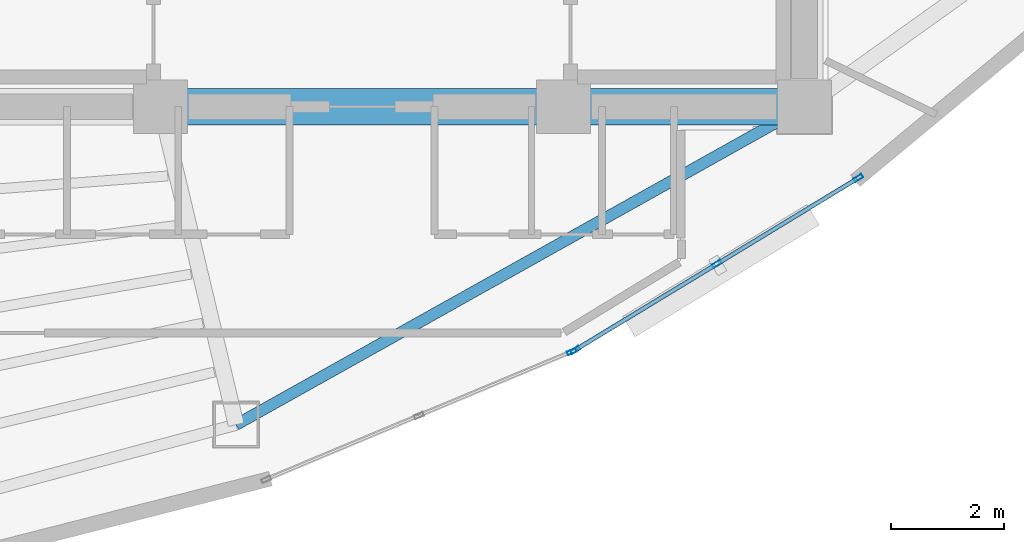
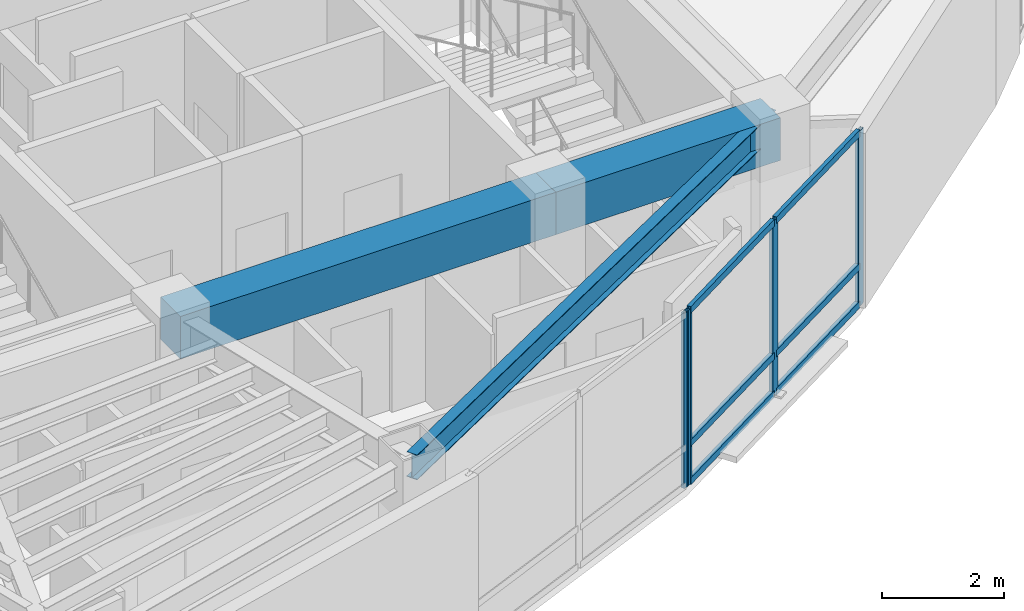
# One storey, part 5 of 16: 10 members, 3 beams, 2 elements without a shape of their own.
"""IFC4 building model written with IfcOpenShell, lengths in metres."""

import ifcopenshell
import ifcopenshell.guid

model = None  # the IFC model being written
_history = None  # IfcOwnerHistory: only IFC2X3 demands one
_inside = {}  # id of a spatial element -> (the spatial element, [elements in it])
_under = {}  # id of a project, library or spatial element -> (it, [spatial elements below it])
_declared = {}  # id of a project -> (the project, [libraries it declares])
_typed = {}  # id of a type object -> (the type object, [elements of that type])
_made_of = {}  # id of a material, layer set ... -> (it, [elements and type objects made of it])


def new_model(schema):
    """Start an empty IFC model of exactly this schema.

    Asked for "IFC4X3", IfcOpenShell would pick the latest addendum, in which some entities
    have other attributes; the version numbers below select the first issue.
    IFC2X3 requires an IfcOwnerHistory on every rooted entity: one is made here for all.
    """
    global model, _history
    if schema == "IFC4X3":
        model = ifcopenshell.file(schema_version=(4, 3, 0, 0))
    else:
        model = ifcopenshell.file(schema=schema)
    _inside.clear()
    _under.clear()
    _declared.clear()
    _typed.clear()
    _made_of.clear()
    _history = None
    if model.schema == "IFC2X3":
        org = make("IfcOrganization", Name="unknown")
        user = make(
            "IfcPersonAndOrganization",
            ThePerson=make("IfcPerson", FamilyName="unknown"),
            TheOrganization=org,
        )
        app = make(
            "IfcApplication",
            ApplicationDeveloper=org,
            Version="unknown",
            ApplicationFullName="unknown",
            ApplicationIdentifier="unknown",
        )
        _history = make(
            "IfcOwnerHistory",
            OwningUser=user,
            OwningApplication=app,
            ChangeAction="ADDED",
            CreationDate=0,
        )
    return model


def make(cls, **values):
    """One entity of the class cls with the attributes given. An attribute that is None is left unset."""
    return model.create_entity(
        cls, **{name: value for name, value in values.items() if value is not None}
    )


def rooted(cls, **values):
    """An entity with a GlobalId (a new one), such as an element, a storey or a relation."""
    return make(cls, GlobalId=ifcopenshell.guid.new(), OwnerHistory=_history, **values)


def si_unit(unit_type, name, prefix=None):
    """IfcSIUnit, for example si_unit("LENGTHUNIT", "METRE", prefix="MILLI")."""
    return make("IfcSIUnit", UnitType=unit_type, Prefix=prefix, Name=name)


def assignment(units):
    """IfcUnitAssignment: the units of a project."""
    return None if units is None else make("IfcUnitAssignment", Units=units)


def point(xyz):
    """IfcCartesianPoint."""
    return None if xyz is None else make("IfcCartesianPoint", Coordinates=xyz)


def direction(xyz):
    """IfcDirection."""
    return None if xyz is None else make("IfcDirection", DirectionRatios=xyz)


def frame(location, z_axis=None, x_axis=None):
    """IfcAxis2Placement3D, a coordinate frame: its origin and axes. An axis left out is left unset."""
    return make(
        "IfcAxis2Placement3D",
        Location=point(location),
        Axis=direction(z_axis),
        RefDirection=direction(x_axis),
    )


def frame_2d(location, x_axis=None):
    """IfcAxis2Placement2D, a coordinate frame in the plane: its origin and x axis."""
    return make(
        "IfcAxis2Placement2D", Location=point(location), RefDirection=direction(x_axis)
    )


def origin():
    """The frame at (0, 0, 0) with its axes left unset."""
    return frame((0.0, 0.0, 0.0))


def origin_2d():
    """The frame at (0, 0) in the plane with its x axis left unset."""
    return frame_2d((0.0, 0.0))


def place(relative_to, where):
    """IfcLocalPlacement: puts the frame where relative to a parent placement (None: the world)."""
    return make(
        "IfcLocalPlacement", PlacementRelTo=relative_to, RelativePlacement=where
    )


def context(
    kind, dimensions, precision=None, world=None, true_north=None, identifier=None
):
    """IfcGeometricRepresentationContext, for example the 3D "Model" context."""
    return make(
        "IfcGeometricRepresentationContext",
        ContextIdentifier=identifier,
        ContextType=kind,
        CoordinateSpaceDimension=dimensions,
        Precision=precision,
        WorldCoordinateSystem=world,
        TrueNorth=true_north,
    )


def subcontext(parent, identifier, kind, view, scale=None):
    """IfcGeometricRepresentationSubContext, for example "Body" below "Model"."""
    return make(
        "IfcGeometricRepresentationSubContext",
        ContextIdentifier=identifier,
        ContextType=kind,
        ParentContext=parent,
        TargetScale=scale,
        TargetView=view,
    )


def project(units=None, contexts=None):
    """IfcProject with its units and contexts."""
    return rooted(
        "IfcProject",
        Name="project",
        RepresentationContexts=contexts,
        UnitsInContext=assignment(units),
    )


def spatial(cls, under=None, at=None, **own):
    """A site, building, storey or space (cls), placed at a placement, below another one or the project."""
    s = rooted(cls, ObjectPlacement=at, **own)
    if under is not None:
        _under.setdefault(under.id(), (under, []))[1].append(s)
    return s


def profile(cls, at=None, kind="AREA", **sizes):
    """A parametric profile (cls). Its sizes go by their IFC names, for example OverallWidth=200.0."""
    return make(cls, ProfileType=kind, Position=at, **sizes)


def rectangle(**sizes):
    """IfcRectangleProfileDef."""
    return profile("IfcRectangleProfileDef", **sizes)


def hollow_rectangle(**sizes):
    """IfcRectangleHollowProfileDef."""
    return profile("IfcRectangleHollowProfileDef", **sizes)


def i_section(**sizes):
    """IfcIShapeProfileDef."""
    return profile("IfcIShapeProfileDef", **sizes)


def extrude(swept, where, along, depth):
    """IfcExtrudedAreaSolid: the profile swept, set in the frame where, extruded along a direction by depth."""
    return make(
        "IfcExtrudedAreaSolid",
        SweptArea=swept,
        Position=where,
        ExtrudedDirection=direction(along),
        Depth=depth,
    )


def shape(context_of_items, identifier, shape_type, items):
    """IfcShapeRepresentation: the items that make up one representation, for example the "Body"."""
    return make(
        "IfcShapeRepresentation",
        ContextOfItems=context_of_items,
        RepresentationIdentifier=identifier,
        RepresentationType=shape_type,
        Items=items,
    )


def material(Name=None, Category=None):
    """IfcMaterial."""
    return make("IfcMaterial", Name=Name, Category=Category)


def layer(
    of_material, thickness, ventilated=None, Name=None, Category=None, Priority=None
):
    """IfcMaterialLayer: one layer of a wall or slab, of a material (None: an air gap)."""
    return make(
        "IfcMaterialLayer",
        Material=of_material,
        LayerThickness=thickness,
        IsVentilated=ventilated,
        Name=Name,
        Category=Category,
        Priority=Priority,
    )


def layer_set(layers, Name=None):
    """IfcMaterialLayerSet."""
    return make("IfcMaterialLayerSet", MaterialLayers=layers, LayerSetName=Name)


def material_profile(
    of_material, cross_section, Name=None, Category=None, Priority=None
):
    """IfcMaterialProfile: a cross section and its material."""
    return make(
        "IfcMaterialProfile",
        Name=Name,
        Material=of_material,
        Profile=cross_section,
        Priority=Priority,
        Category=Category,
    )


def profile_set(profiles, Name=None, composite=None):
    """IfcMaterialProfileSet."""
    return make(
        "IfcMaterialProfileSet",
        Name=Name,
        MaterialProfiles=profiles,
        CompositeProfile=composite,
    )


def made_of(thing, what):
    """Note that an element or type object is made of a material, layer set ...; save() writes the relation."""
    if what is not None:
        _made_of.setdefault(what.id(), (what, []))[1].append(thing)
    return thing


def type_object(cls, material=None, **own):
    """A type object (cls), such as IfcWallType, which elements share."""
    return made_of(rooted(cls, **own), material)


def element(
    cls,
    number,
    at=None,
    inside=None,
    cuts=None,
    type_object=None,
    material=None,
    context=None,
    identifier="Body",
    shape_type=None,
    held_by="IfcProductDefinitionShape",
    body=None,
    shapes=None,
    **own,
):
    """One element of the class cls, such as IfcWall. Its Tag is "e" and its number.

    at: its placement. inside: the storey or other place that contains it. cuts: it is an
    opening in that element (IfcRelVoidsElement). A single representation is given by context,
    identifier, shape_type and body (its items); several are given by shapes. held_by: the class
    of the entity that holds the representations. save() writes the other relations.
    """
    e = rooted(cls, Tag="e%d" % number, ObjectPlacement=at, **own)
    if body is not None:
        shapes = [shape(context, identifier, shape_type, body)]
    if shapes is not None:
        e.Representation = make(held_by, Representations=shapes)
    if inside is not None:
        _inside.setdefault(inside.id(), (inside, []))[1].append(e)
    if cuts is not None:
        rooted(
            "IfcRelVoidsElement", RelatingBuildingElement=cuts, RelatedOpeningElement=e
        )
    if type_object is not None:
        _typed.setdefault(type_object.id(), (type_object, []))[1].append(e)
    return made_of(e, material)


def aggregate(whole, parts):
    """IfcRelAggregates: a whole, such as a stair, and the parts it consists of."""
    return rooted("IfcRelAggregates", RelatingObject=whole, RelatedObjects=parts)


def save(model, path):
    """Write the relations noted so far, then the file.

    IfcRelAggregates (storeys below a building ...), IfcRelContainedInSpatialStructure (elements
    in a storey), IfcRelDefinesByType, IfcRelAssociatesMaterial and IfcRelDeclares: one each for
    every whole, place, type object, material and project.
    """
    for whole, parts in _under.values():
        aggregate(whole, parts)
    for where, things in _inside.values():
        rooted(
            "IfcRelContainedInSpatialStructure",
            RelatedElements=things,
            RelatingStructure=where,
        )
    for kind, things in _typed.values():
        rooted("IfcRelDefinesByType", RelatedObjects=things, RelatingType=kind)
    for what, things in _made_of.values():
        rooted("IfcRelAssociatesMaterial", RelatedObjects=things, RelatingMaterial=what)
    for by, libraries in _declared.values():
        rooted("IfcRelDeclares", RelatingContext=by, RelatedDefinitions=libraries)
    model.write(path)


model = new_model("IFC4")

# Units and contexts
model_context = context("Model", 3, precision=1e-05, world=origin(), true_north=direction((0.0, 1.0)))
body_context = subcontext(model_context, "Body", "Model", "MODEL_VIEW")
ifc_project = project(units=[si_unit("LENGTHUNIT", "METRE"), si_unit("AREAUNIT", "SQUARE_METRE"), si_unit("VOLUMEUNIT", "CUBIC_METRE"), si_unit("PLANEANGLEUNIT", "RADIAN"), si_unit("MASSUNIT", "GRAM", prefix="KILO")], contexts=[model_context])

# Site, building, storey
site_placement = place(None, origin())
site = spatial("IfcSite", under=ifc_project, at=site_placement, CompositionType="ELEMENT")
building_placement = place(site_placement, origin())
building = spatial("IfcBuilding", under=site, at=building_placement, Name="Menara Vayukalpa", CompositionType="ELEMENT")
storey_placement = place(building_placement, frame((0.0, 0.0, 273.179931640625)))
storey = spatial("IfcBuildingStorey", under=building, at=storey_placement, Name="L69", CompositionType="ELEMENT", Elevation=273.179931640625)

# Beams
ifc_material_1 = material(Name="Concrete C60/75", Category="concrete")
ifc_material_profile_1 = material_profile(ifc_material_1, rectangle(XDim=0.64990234375, YDim=0.85009765625, at=origin_2d()), Name="RC 650x850")
ifc_profile_set_1 = profile_set([ifc_material_profile_1], Name="Concrete C60/75")
beam_type_1 = type_object("IfcBeamType", Name="BM-CB1", PredefinedType="BEAM", material=ifc_profile_set_1)
beam_1_placement = place(storey_placement, frame((22.050048828125, 17.199951171875, 3.074951171875), z_axis=(1.0, 0.0, 0.0), x_axis=(0.0, 1.0, 0.0)))
element("IfcBeam", 1, at=beam_1_placement, inside=storey, type_object=beam_type_1, Name="L69 Core Tie Beam CBR2", PredefinedType="BEAM", context=body_context, shape_type="SweptSolid", body=[
    extrude(rectangle(XDim=0.64990234375, YDim=0.85009765625, at=origin_2d()), origin(), (0.0, 0.0, 1.0), 7.099853515625),
])
beam_2_placement = place(storey_placement, frame((29.14990234375, 17.199951171875, 3.074951171875), z_axis=(1.0, 0.0, 0.0), x_axis=(0.0, 1.0, 0.0)))
element("IfcBeam", 2, at=beam_2_placement, inside=storey, type_object=beam_type_1, Name="L69 Core Tie Beam CBR3", PredefinedType="BEAM", context=body_context, shape_type="SweptSolid", body=[
    extrude(rectangle(XDim=0.64990234375, YDim=0.85009765625, at=origin_2d()), origin(), (0.0, 0.0, 1.0), 4.25),
])
ifc_material_2 = material(Name="Steel S355", Category="steel")
ifc_material_profile_2 = material_profile(ifc_material_2, i_section(OverallWidth=0.199951171875, OverallDepth=0.5, WebThickness=0.010009765625, FlangeThickness=0.01611328125, at=origin_2d()), Name="WF 500x200x10x16")
ifc_profile_set_2 = profile_set([ifc_material_profile_2], Name="Steel S355")
beam_type_2 = type_object("IfcBeamType", Name="BM-SP3", PredefinedType="SPANDREL", material=ifc_profile_set_2)
beam_3_placement = place(storey_placement, frame((23.3818359375, 11.59521484375, 3.25), z_axis=(0.87270577288, 0.48824648896, 0.0), x_axis=(-0.48824648896, 0.87270577288, 0.0)))
element("IfcBeam", 3, at=beam_3_placement, inside=storey, type_object=beam_type_2, Name="L69 Perimeter Spandrel Beam SP08", PredefinedType="SPANDREL", context=body_context, shape_type="SweptSolid", body=[
    extrude(i_section(OverallWidth=0.199951171875, OverallDepth=0.5, WebThickness=0.010009765625, FlangeThickness=0.01611328125, at=origin_2d()), origin(), (0.0, 0.0, 1.0), 11.479248046875),
])

# Curtain wall, member
ifc_material_3 = material(Name="Anodised Terracotta Aluminium Alloy 6063-T6", Category="masonry")
ifc_layer = layer(ifc_material_3, 0.1650390625)
ifc_layer_set = layer_set([ifc_layer], Name="Anodised Terracotta Aluminium Alloy 6063-T6")
curtain_wall_type = type_object("IfcCurtainWallType", Name="CW-CW6", PredefinedType="USERDEFINED", material=ifc_layer_set)
curtain_wall_1_placement = place(storey_placement, origin())
curtain_wall_1 = element("IfcCurtainWall", 4, at=curtain_wall_1_placement, inside=storey, type_object=curtain_wall_type, Name="L69 Observation and Executive Curtain Wall CW6 16", ObjectType="UNITISED", PredefinedType="USERDEFINED")
ifc_material_4 = material(Name="Anodised Terracotta Aluminium Alloy 6063-T6", Category="masonry")
ifc_material_profile_3 = material_profile(ifc_material_4, hollow_rectangle(XDim=0.070068359375, YDim=0.1650390625, WallThickness=0.00390625, at=origin_2d()), Name="ALU 70x165x4")
ifc_profile_set_3 = profile_set([ifc_material_profile_3], Name="Anodised Terracotta Aluminium Alloy 6063-T6")
member_type_1 = type_object("IfcMemberType", Name="CWM-CW6", PredefinedType="MULLION", material=ifc_profile_set_3)
member_1_placement = place(storey_placement, frame((29.298828125, 12.881103515625, 0.0), z_axis=(0.0, 0.0, 1.0), x_axis=(-0.385899911703, 0.922540653927, 0.0)))
member_1 = element("IfcMember", 5, at=member_1_placement, type_object=member_type_1, Name="CW6 mullion 3", PredefinedType="MULLION", context=body_context, shape_type="SweptSolid", body=[
    extrude(hollow_rectangle(XDim=0.070068359375, YDim=0.1650390625, WallThickness=0.00390625, at=origin_2d()), origin(), (0.0, 0.0, 1.0), 3.5),
])
aggregate(curtain_wall_1, [member_1])

# Curtain wall, members
curtain_wall_2_placement = place(storey_placement, origin())
curtain_wall_2 = element("IfcCurtainWall", 6, at=curtain_wall_2_placement, inside=storey, type_object=curtain_wall_type, Name="L69 Observation and Executive Curtain Wall CW6 17", ObjectType="UNITISED", PredefinedType="USERDEFINED")
member_2_placement = place(storey_placement, frame((29.36083984375, 12.912841796875, 0.0), z_axis=(0.0, 0.0, 1.0), x_axis=(-0.519175574558, 0.854667609532, 0.0)))
member_2 = element("IfcMember", 7, at=member_2_placement, type_object=member_type_1, Name="CW6 mullion 1", PredefinedType="MULLION", context=body_context, shape_type="SweptSolid", body=[
    extrude(hollow_rectangle(XDim=0.070068359375, YDim=0.1650390625, WallThickness=0.00390625, at=origin_2d()), origin(), (0.0, 0.0, 1.0), 3.5),
])
member_3_placement = place(storey_placement, frame((31.85546875, 14.42822265625, 0.0), z_axis=(0.0, 0.0, 1.0), x_axis=(-0.519175574558, 0.854667609532, 0.0)))
member_3 = element("IfcMember", 8, at=member_3_placement, type_object=member_type_1, Name="CW6 mullion 2", PredefinedType="MULLION", context=body_context, shape_type="SweptSolid", body=[
    extrude(hollow_rectangle(XDim=0.070068359375, YDim=0.1650390625, WallThickness=0.00390625, at=origin_2d()), origin(), (0.0, 0.0, 1.0), 3.5),
])
member_4_placement = place(storey_placement, frame((34.35009765625, 15.943603515625, 0.0), z_axis=(0.0, 0.0, 1.0), x_axis=(-0.519175574558, 0.854667609532, 0.0)))
member_4 = element("IfcMember", 9, at=member_4_placement, type_object=member_type_1, Name="CW6 mullion 3", PredefinedType="MULLION", context=body_context, shape_type="SweptSolid", body=[
    extrude(hollow_rectangle(XDim=0.070068359375, YDim=0.1650390625, WallThickness=0.00390625, at=origin_2d()), origin(), (0.0, 0.0, 1.0), 3.5),
])
ifc_material_5 = material(Name="Anodised Terracotta Aluminium Alloy 6063-T6", Category="masonry")
ifc_material_profile_4 = material_profile(ifc_material_5, hollow_rectangle(XDim=0.074951171875, YDim=0.135009765625, WallThickness=0.00390625, at=origin_2d()), Name="ALU 75x135x4")
ifc_profile_set_4 = profile_set([ifc_material_profile_4], Name="Anodised Terracotta Aluminium Alloy 6063-T6")
member_type_2 = type_object("IfcMemberType", Name="CWT-CW6", PredefinedType="USERDEFINED", material=ifc_profile_set_4)
member_5_placement = place(storey_placement, frame((29.390869140625, 12.93115234375, 0.03759765625), z_axis=(0.854689729536, 0.519139158825, 0.0), x_axis=(-0.519139158825, 0.854689729536, 0.0)))
member_5 = element("IfcMember", 10, at=member_5_placement, type_object=member_type_2, Name="CW6 transom 1.1", ObjectType="TRANSOM", PredefinedType="USERDEFINED", context=body_context, shape_type="SweptSolid", body=[
    extrude(hollow_rectangle(XDim=0.074951171875, YDim=0.135009765625, WallThickness=0.00390625, at=origin_2d()), origin(), (0.0, 0.0, 1.0), 2.848388671875),
])
member_6_placement = place(storey_placement, frame((29.390869140625, 12.93115234375, 0.800048828125), z_axis=(0.854689729536, 0.519139158825, 0.0), x_axis=(-0.519139158825, 0.854689729536, 0.0)))
member_6 = element("IfcMember", 11, at=member_6_placement, type_object=member_type_2, Name="CW6 transom 1.2", ObjectType="TRANSOM", PredefinedType="USERDEFINED", context=body_context, shape_type="SweptSolid", body=[
    extrude(hollow_rectangle(XDim=0.074951171875, YDim=0.135009765625, WallThickness=0.00390625, at=origin_2d()), origin(), (0.0, 0.0, 1.0), 2.848388671875),
])
member_7_placement = place(storey_placement, frame((29.390869140625, 12.93115234375, 3.462646484375), z_axis=(0.854689729536, 0.519139158825, 0.0), x_axis=(-0.519139158825, 0.854689729536, 0.0)))
member_7 = element("IfcMember", 12, at=member_7_placement, type_object=member_type_2, Name="CW6 transom 1.3", ObjectType="TRANSOM", PredefinedType="USERDEFINED", context=body_context, shape_type="SweptSolid", body=[
    extrude(hollow_rectangle(XDim=0.074951171875, YDim=0.135009765625, WallThickness=0.00390625, at=origin_2d()), origin(), (0.0, 0.0, 1.0), 2.848388671875),
])
member_8_placement = place(storey_placement, frame((31.88525390625, 14.4462890625, 0.03759765625), z_axis=(0.854674800659, 0.519163736328, 0.0), x_axis=(-0.519163736328, 0.85467480066, 0.0)))
member_8 = element("IfcMember", 13, at=member_8_placement, type_object=member_type_2, Name="CW6 transom 2.1", ObjectType="TRANSOM", PredefinedType="USERDEFINED", context=body_context, shape_type="SweptSolid", body=[
    extrude(hollow_rectangle(XDim=0.074951171875, YDim=0.135009765625, WallThickness=0.00390625, at=origin_2d()), origin(), (0.0, 0.0, 1.0), 2.848876953125),
])
member_9_placement = place(storey_placement, frame((31.88525390625, 14.4462890625, 0.800048828125), z_axis=(0.854674800659, 0.519163736328, 0.0), x_axis=(-0.519163736328, 0.85467480066, 0.0)))
member_9 = element("IfcMember", 14, at=member_9_placement, type_object=member_type_2, Name="CW6 transom 2.2", ObjectType="TRANSOM", PredefinedType="USERDEFINED", context=body_context, shape_type="SweptSolid", body=[
    extrude(hollow_rectangle(XDim=0.074951171875, YDim=0.135009765625, WallThickness=0.00390625, at=origin_2d()), origin(), (0.0, 0.0, 1.0), 2.848876953125),
])
member_10_placement = place(storey_placement, frame((31.88525390625, 14.4462890625, 3.462646484375), z_axis=(0.854674800659, 0.519163736328, 0.0), x_axis=(-0.519163736328, 0.85467480066, 0.0)))
member_10 = element("IfcMember", 15, at=member_10_placement, type_object=member_type_2, Name="CW6 transom 2.3", ObjectType="TRANSOM", PredefinedType="USERDEFINED", context=body_context, shape_type="SweptSolid", body=[
    extrude(hollow_rectangle(XDim=0.074951171875, YDim=0.135009765625, WallThickness=0.00390625, at=origin_2d()), origin(), (0.0, 0.0, 1.0), 2.848876953125),
])
aggregate(curtain_wall_2, [member_2, member_3, member_4, member_5, member_6, member_7, member_8, member_9, member_10])

save(model, "model.ifc")
